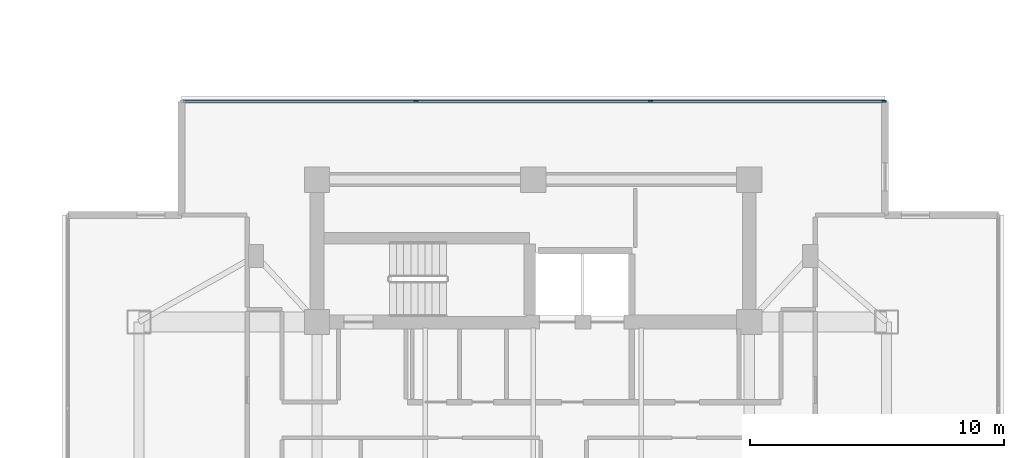
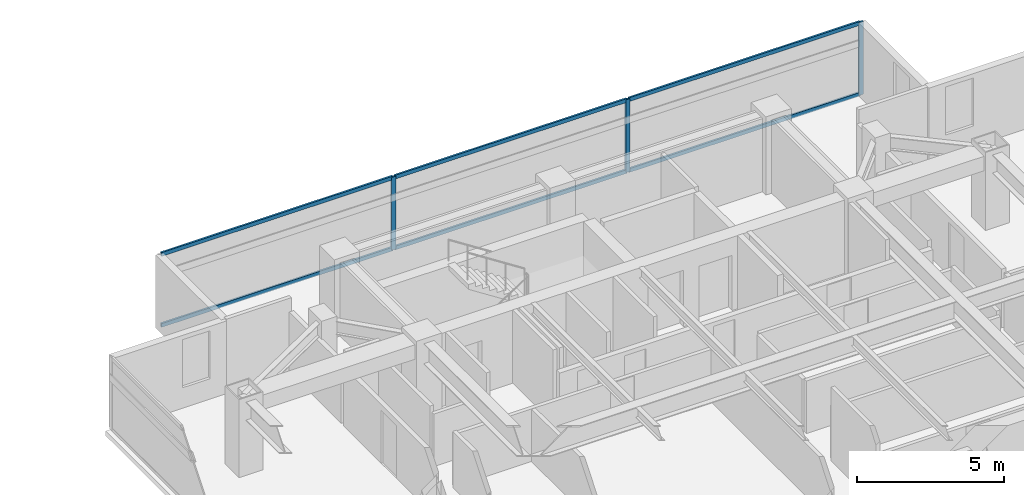
# One storey, part 10 of 25: 9 members, 1 element without a shape of its own.
"""IFC4 building model written with IfcOpenShell, lengths in metres."""

import ifcopenshell
import ifcopenshell.guid

model = None  # the IFC model being written
_history = None  # IfcOwnerHistory: only IFC2X3 demands one
_inside = {}  # id of a spatial element -> (the spatial element, [elements in it])
_under = {}  # id of a project, library or spatial element -> (it, [spatial elements below it])
_declared = {}  # id of a project -> (the project, [libraries it declares])
_typed = {}  # id of a type object -> (the type object, [elements of that type])
_made_of = {}  # id of a material, layer set ... -> (it, [elements and type objects made of it])


def new_model(schema):
    """Start an empty IFC model of exactly this schema.

    Asked for "IFC4X3", IfcOpenShell would pick the latest addendum, in which some entities
    have other attributes; the version numbers below select the first issue.
    IFC2X3 requires an IfcOwnerHistory on every rooted entity: one is made here for all.
    """
    global model, _history
    if schema == "IFC4X3":
        model = ifcopenshell.file(schema_version=(4, 3, 0, 0))
    else:
        model = ifcopenshell.file(schema=schema)
    _inside.clear()
    _under.clear()
    _declared.clear()
    _typed.clear()
    _made_of.clear()
    _history = None
    if model.schema == "IFC2X3":
        org = make("IfcOrganization", Name="unknown")
        user = make(
            "IfcPersonAndOrganization",
            ThePerson=make("IfcPerson", FamilyName="unknown"),
            TheOrganization=org,
        )
        app = make(
            "IfcApplication",
            ApplicationDeveloper=org,
            Version="unknown",
            ApplicationFullName="unknown",
            ApplicationIdentifier="unknown",
        )
        _history = make(
            "IfcOwnerHistory",
            OwningUser=user,
            OwningApplication=app,
            ChangeAction="ADDED",
            CreationDate=0,
        )
    return model


def make(cls, **values):
    """One entity of the class cls with the attributes given. An attribute that is None is left unset."""
    return model.create_entity(
        cls, **{name: value for name, value in values.items() if value is not None}
    )


def rooted(cls, **values):
    """An entity with a GlobalId (a new one), such as an element, a storey or a relation."""
    return make(cls, GlobalId=ifcopenshell.guid.new(), OwnerHistory=_history, **values)


def si_unit(unit_type, name, prefix=None):
    """IfcSIUnit, for example si_unit("LENGTHUNIT", "METRE", prefix="MILLI")."""
    return make("IfcSIUnit", UnitType=unit_type, Prefix=prefix, Name=name)


def assignment(units):
    """IfcUnitAssignment: the units of a project."""
    return None if units is None else make("IfcUnitAssignment", Units=units)


def point(xyz):
    """IfcCartesianPoint."""
    return None if xyz is None else make("IfcCartesianPoint", Coordinates=xyz)


def direction(xyz):
    """IfcDirection."""
    return None if xyz is None else make("IfcDirection", DirectionRatios=xyz)


def frame(location, z_axis=None, x_axis=None):
    """IfcAxis2Placement3D, a coordinate frame: its origin and axes. An axis left out is left unset."""
    return make(
        "IfcAxis2Placement3D",
        Location=point(location),
        Axis=direction(z_axis),
        RefDirection=direction(x_axis),
    )


def frame_2d(location, x_axis=None):
    """IfcAxis2Placement2D, a coordinate frame in the plane: its origin and x axis."""
    return make(
        "IfcAxis2Placement2D", Location=point(location), RefDirection=direction(x_axis)
    )


def origin():
    """The frame at (0, 0, 0) with its axes left unset."""
    return frame((0.0, 0.0, 0.0))


def origin_2d():
    """The frame at (0, 0) in the plane with its x axis left unset."""
    return frame_2d((0.0, 0.0))


def place(relative_to, where):
    """IfcLocalPlacement: puts the frame where relative to a parent placement (None: the world)."""
    return make(
        "IfcLocalPlacement", PlacementRelTo=relative_to, RelativePlacement=where
    )


def context(
    kind, dimensions, precision=None, world=None, true_north=None, identifier=None
):
    """IfcGeometricRepresentationContext, for example the 3D "Model" context."""
    return make(
        "IfcGeometricRepresentationContext",
        ContextIdentifier=identifier,
        ContextType=kind,
        CoordinateSpaceDimension=dimensions,
        Precision=precision,
        WorldCoordinateSystem=world,
        TrueNorth=true_north,
    )


def subcontext(parent, identifier, kind, view, scale=None):
    """IfcGeometricRepresentationSubContext, for example "Body" below "Model"."""
    return make(
        "IfcGeometricRepresentationSubContext",
        ContextIdentifier=identifier,
        ContextType=kind,
        ParentContext=parent,
        TargetScale=scale,
        TargetView=view,
    )


def project(units=None, contexts=None):
    """IfcProject with its units and contexts."""
    return rooted(
        "IfcProject",
        Name="project",
        RepresentationContexts=contexts,
        UnitsInContext=assignment(units),
    )


def spatial(cls, under=None, at=None, **own):
    """A site, building, storey or space (cls), placed at a placement, below another one or the project."""
    s = rooted(cls, ObjectPlacement=at, **own)
    if under is not None:
        _under.setdefault(under.id(), (under, []))[1].append(s)
    return s


def profile(cls, at=None, kind="AREA", **sizes):
    """A parametric profile (cls). Its sizes go by their IFC names, for example OverallWidth=200.0."""
    return make(cls, ProfileType=kind, Position=at, **sizes)


def rectangle(**sizes):
    """IfcRectangleProfileDef."""
    return profile("IfcRectangleProfileDef", **sizes)


def extrude(swept, where, along, depth):
    """IfcExtrudedAreaSolid: the profile swept, set in the frame where, extruded along a direction by depth."""
    return make(
        "IfcExtrudedAreaSolid",
        SweptArea=swept,
        Position=where,
        ExtrudedDirection=direction(along),
        Depth=depth,
    )


def shape(context_of_items, identifier, shape_type, items):
    """IfcShapeRepresentation: the items that make up one representation, for example the "Body"."""
    return make(
        "IfcShapeRepresentation",
        ContextOfItems=context_of_items,
        RepresentationIdentifier=identifier,
        RepresentationType=shape_type,
        Items=items,
    )


def material(Name=None, Category=None):
    """IfcMaterial."""
    return make("IfcMaterial", Name=Name, Category=Category)


def material_profile(
    of_material, cross_section, Name=None, Category=None, Priority=None
):
    """IfcMaterialProfile: a cross section and its material."""
    return make(
        "IfcMaterialProfile",
        Name=Name,
        Material=of_material,
        Profile=cross_section,
        Priority=Priority,
        Category=Category,
    )


def profile_set(profiles, Name=None, composite=None):
    """IfcMaterialProfileSet."""
    return make(
        "IfcMaterialProfileSet",
        Name=Name,
        MaterialProfiles=profiles,
        CompositeProfile=composite,
    )


def made_of(thing, what):
    """Note that an element or type object is made of a material, layer set ...; save() writes the relation."""
    if what is not None:
        _made_of.setdefault(what.id(), (what, []))[1].append(thing)
    return thing


def type_object(cls, material=None, **own):
    """A type object (cls), such as IfcWallType, which elements share."""
    return made_of(rooted(cls, **own), material)


def element(
    cls,
    number,
    at=None,
    inside=None,
    cuts=None,
    type_object=None,
    material=None,
    context=None,
    identifier="Body",
    shape_type=None,
    held_by="IfcProductDefinitionShape",
    body=None,
    shapes=None,
    **own,
):
    """One element of the class cls, such as IfcWall. Its Tag is "e" and its number.

    at: its placement. inside: the storey or other place that contains it. cuts: it is an
    opening in that element (IfcRelVoidsElement). A single representation is given by context,
    identifier, shape_type and body (its items); several are given by shapes. held_by: the class
    of the entity that holds the representations. save() writes the other relations.
    """
    e = rooted(cls, Tag="e%d" % number, ObjectPlacement=at, **own)
    if body is not None:
        shapes = [shape(context, identifier, shape_type, body)]
    if shapes is not None:
        e.Representation = make(held_by, Representations=shapes)
    if inside is not None:
        _inside.setdefault(inside.id(), (inside, []))[1].append(e)
    if cuts is not None:
        rooted(
            "IfcRelVoidsElement", RelatingBuildingElement=cuts, RelatedOpeningElement=e
        )
    if type_object is not None:
        _typed.setdefault(type_object.id(), (type_object, []))[1].append(e)
    return made_of(e, material)


def aggregate(whole, parts):
    """IfcRelAggregates: a whole, such as a stair, and the parts it consists of."""
    return rooted("IfcRelAggregates", RelatingObject=whole, RelatedObjects=parts)


def save(model, path):
    """Write the relations noted so far, then the file.

    IfcRelAggregates (storeys below a building ...), IfcRelContainedInSpatialStructure (elements
    in a storey), IfcRelDefinesByType, IfcRelAssociatesMaterial and IfcRelDeclares: one each for
    every whole, place, type object, material and project.
    """
    for whole, parts in _under.values():
        aggregate(whole, parts)
    for where, things in _inside.values():
        rooted(
            "IfcRelContainedInSpatialStructure",
            RelatedElements=things,
            RelatingStructure=where,
        )
    for kind, things in _typed.values():
        rooted("IfcRelDefinesByType", RelatedObjects=things, RelatingType=kind)
    for what, things in _made_of.values():
        rooted("IfcRelAssociatesMaterial", RelatedObjects=things, RelatingMaterial=what)
    for by, libraries in _declared.values():
        rooted("IfcRelDeclares", RelatingContext=by, RelatedDefinitions=libraries)
    model.write(path)


model = new_model("IFC4")

# Units and contexts
model_context = context("Model", 3, precision=1e-05, world=origin(), true_north=direction((0.0, 1.0)))
body_context = subcontext(model_context, "Body", "Model", "MODEL_VIEW")
ifc_project = project(units=[si_unit("LENGTHUNIT", "METRE"), si_unit("AREAUNIT", "SQUARE_METRE"), si_unit("VOLUMEUNIT", "CUBIC_METRE"), si_unit("PLANEANGLEUNIT", "RADIAN"), si_unit("MASSUNIT", "GRAM", prefix="KILO")], contexts=[model_context])

# Site, building, storey
site_placement = place(None, origin())
site = spatial("IfcSite", under=ifc_project, at=site_placement, CompositionType="ELEMENT")
building_placement = place(site_placement, origin())
building = spatial("IfcBuilding", under=site, at=building_placement, Name="Mirazonda Arch Towers", CompositionType="ELEMENT")
storey_placement = place(building_placement, frame((0.0, 0.0, 177.14990234375)))
storey = spatial("IfcBuildingStorey", under=building, at=storey_placement, Name="L50", CompositionType="ELEMENT", Elevation=177.14990234375)

# Curtain wall, members
ifc_material_1 = material(Name="Anodised Aluminium and Low-E Glass", Category="aluminium")
curtain_wall_type = type_object("IfcCurtainWallType", Name="CW-RES-UNIT", PredefinedType="NOTDEFINED", material=ifc_material_1)
curtain_wall_placement = place(storey_placement, origin())
curtain_wall = element("IfcCurtainWall", 1, at=curtain_wall_placement, inside=storey, type_object=curtain_wall_type, Name="L50 T2 N Facade CW-L50-T2-N", PredefinedType="NOTDEFINED")
ifc_material_2 = material(Name="Anodised Aluminium Alloy", Category="aluminium")
ifc_material_profile_1 = material_profile(ifc_material_2, rectangle(XDim=0.074951171875, YDim=0.175048828125, at=origin_2d()), Name="ALU-MULL-75x175")
ifc_profile_set_1 = profile_set([ifc_material_profile_1], Name="Anodised Aluminium Alloy")
member_type_1 = type_object("IfcMemberType", Name="MULL-CW-RES-UNIT", PredefinedType="MULLION", material=ifc_profile_set_1)
member_1_placement = place(storey_placement, frame((71.888916015625, 43.87451171875, 0.0), z_axis=(0.0, 0.0, 1.0), x_axis=(0.0, 1.0, 0.0)))
member_1 = element("IfcMember", 2, at=member_1_placement, type_object=member_type_1, Name="CW-104 mullion 2", PredefinedType="MULLION", context=body_context, shape_type="SweptSolid", body=[
    extrude(rectangle(XDim=0.074951171875, YDim=0.175048828125, at=origin_2d()), origin(), (0.0, 0.0, 1.0), 3.030029296875),
])
member_2_placement = place(storey_placement, frame((81.111083984375, 43.87451171875, 0.0), z_axis=(0.0, 0.0, 1.0), x_axis=(0.0, 1.0, 0.0)))
member_2 = element("IfcMember", 3, at=member_2_placement, type_object=member_type_1, Name="CW-104 mullion 3", PredefinedType="MULLION", context=body_context, shape_type="SweptSolid", body=[
    extrude(rectangle(XDim=0.074951171875, YDim=0.175048828125, at=origin_2d()), origin(), (0.0, 0.0, 1.0), 3.030029296875),
])
member_3_placement = place(storey_placement, frame((90.2958984375, 43.87451171875, 0.0), z_axis=(0.0, 0.0, 1.0), x_axis=(0.0, 1.0, 0.0)))
member_3 = element("IfcMember", 4, at=member_3_placement, type_object=member_type_1, Name="CW-104 mullion 4", PredefinedType="MULLION", context=body_context, shape_type="SweptSolid", body=[
    extrude(rectangle(XDim=0.074951171875, YDim=0.175048828125, at=origin_2d()), origin(), (0.0, 0.0, 1.0), 3.030029296875),
])
ifc_material_profile_2 = material_profile(ifc_material_2, rectangle(XDim=0.074951171875, YDim=0.155029296875, at=origin_2d()), Name="ALU-TRAN-75x155")
ifc_profile_set_2 = profile_set([ifc_material_profile_2], Name="Anodised Aluminium Alloy")
member_type_2 = type_object("IfcMemberType", Name="TRAN-CW-RES-UNIT", PredefinedType="USERDEFINED", material=ifc_profile_set_2)
member_4_placement = place(storey_placement, frame((62.74169921875, 43.87451171875, 0.03759765625), z_axis=(1.0, 0.0, 0.0), x_axis=(0.0, 1.0, 0.0)))
member_4 = element("IfcMember", 5, at=member_4_placement, type_object=member_type_2, Name="CW-104 transom 1.1", ObjectType="TRANSOM", PredefinedType="USERDEFINED", context=body_context, shape_type="SweptSolid", body=[
    extrude(rectangle(XDim=0.074951171875, YDim=0.155029296875, at=origin_2d()), origin(), (0.0, 0.0, 1.0), 9.109619140625),
])
member_5_placement = place(storey_placement, frame((62.74169921875, 43.87451171875, 2.99267578125), z_axis=(1.0, 0.0, 0.0), x_axis=(0.0, 1.0, 0.0)))
member_5 = element("IfcMember", 6, at=member_5_placement, type_object=member_type_2, Name="CW-104 transom 1.2", ObjectType="TRANSOM", PredefinedType="USERDEFINED", context=body_context, shape_type="SweptSolid", body=[
    extrude(rectangle(XDim=0.074951171875, YDim=0.155029296875, at=origin_2d()), origin(), (0.0, 0.0, 1.0), 9.109619140625),
])
member_6_placement = place(storey_placement, frame((71.926513671875, 43.87451171875, 0.03759765625), z_axis=(1.0, 0.0, 0.0), x_axis=(0.0, 1.0, 0.0)))
member_6 = element("IfcMember", 7, at=member_6_placement, type_object=member_type_2, Name="CW-104 transom 2.1", ObjectType="TRANSOM", PredefinedType="USERDEFINED", context=body_context, shape_type="SweptSolid", body=[
    extrude(rectangle(XDim=0.074951171875, YDim=0.155029296875, at=origin_2d()), origin(), (0.0, 0.0, 1.0), 9.14697265625),
])
member_7_placement = place(storey_placement, frame((71.926513671875, 43.87451171875, 2.99267578125), z_axis=(1.0, 0.0, 0.0), x_axis=(0.0, 1.0, 0.0)))
member_7 = element("IfcMember", 8, at=member_7_placement, type_object=member_type_2, Name="CW-104 transom 2.2", ObjectType="TRANSOM", PredefinedType="USERDEFINED", context=body_context, shape_type="SweptSolid", body=[
    extrude(rectangle(XDim=0.074951171875, YDim=0.155029296875, at=origin_2d()), origin(), (0.0, 0.0, 1.0), 9.14697265625),
])
member_8_placement = place(storey_placement, frame((81.148681640625, 43.87451171875, 0.03759765625), z_axis=(1.0, 0.0, 0.0), x_axis=(0.0, 1.0, 0.0)))
member_8 = element("IfcMember", 9, at=member_8_placement, type_object=member_type_2, Name="CW-104 transom 3.1", ObjectType="TRANSOM", PredefinedType="USERDEFINED", context=body_context, shape_type="SweptSolid", body=[
    extrude(rectangle(XDim=0.074951171875, YDim=0.155029296875, at=origin_2d()), origin(), (0.0, 0.0, 1.0), 9.109619140625),
])
member_9_placement = place(storey_placement, frame((81.148681640625, 43.87451171875, 2.99267578125), z_axis=(1.0, 0.0, 0.0), x_axis=(0.0, 1.0, 0.0)))
member_9 = element("IfcMember", 10, at=member_9_placement, type_object=member_type_2, Name="CW-104 transom 3.2", ObjectType="TRANSOM", PredefinedType="USERDEFINED", context=body_context, shape_type="SweptSolid", body=[
    extrude(rectangle(XDim=0.074951171875, YDim=0.155029296875, at=origin_2d()), origin(), (0.0, 0.0, 1.0), 9.109619140625),
])
aggregate(curtain_wall, [member_1, member_2, member_3, member_4, member_5, member_6, member_7, member_8, member_9])

save(model, "model.ifc")
